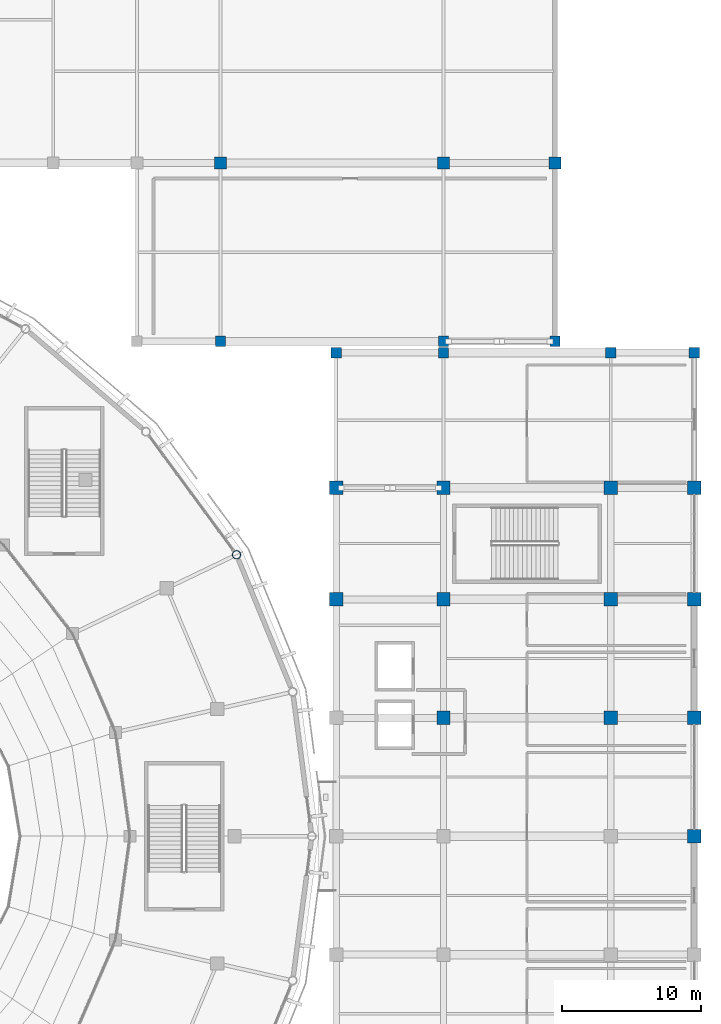
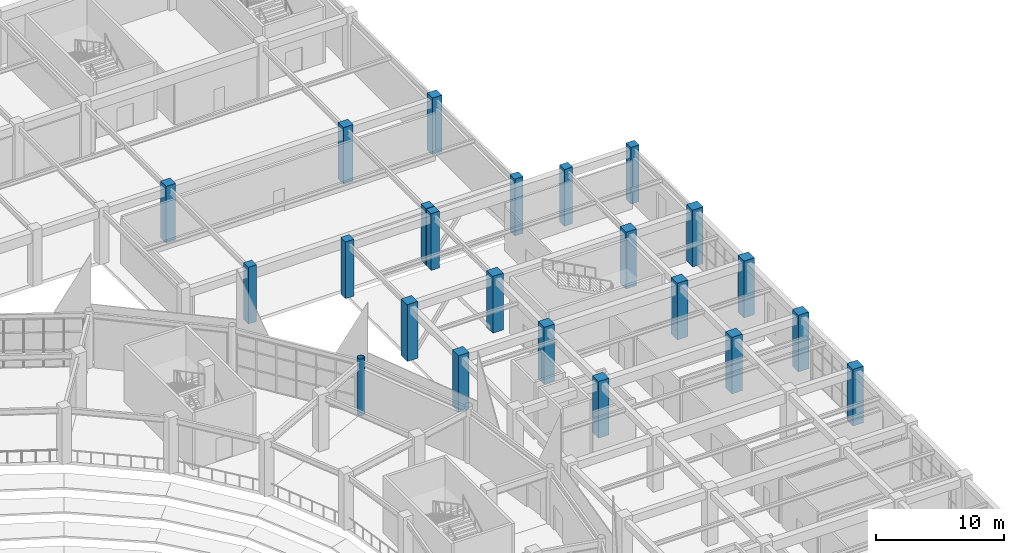
# One storey, part 11 of 120: 23 columns.
"""IFC4 building model written with IfcOpenShell, lengths in metres."""

from ifc_helpers import new_model, si_unit, direction, frame, origin, origin_2d, place, context, subcontext, project, spatial, rectangle, hollow_circle, extrude, material, material_profile, profile_set, type_object, element, save


model = new_model("IFC4")

# Units and contexts
model_context = context("Model", 3, precision=1e-05, world=origin(), true_north=direction((0.0, 1.0)))
body_context = subcontext(model_context, "Body", "Model", "MODEL_VIEW")
ifc_project = project(units=[si_unit("LENGTHUNIT", "METRE"), si_unit("AREAUNIT", "SQUARE_METRE"), si_unit("VOLUMEUNIT", "CUBIC_METRE"), si_unit("PLANEANGLEUNIT", "RADIAN"), si_unit("MASSUNIT", "GRAM", prefix="KILO")], contexts=[model_context])

# Site, building, storey
site_placement = place(None, origin())
site = spatial("IfcSite", under=ifc_project, at=site_placement, CompositionType="ELEMENT")
building_placement = place(site_placement, origin())
building = spatial("IfcBuilding", under=site, at=building_placement, Name="Cuetzalor Civic Arena", CompositionType="ELEMENT")
storey_placement = place(building_placement, frame((0.0, 0.0, 6.0)))
storey = spatial("IfcBuildingStorey", under=building, at=storey_placement, Name="L01", CompositionType="ELEMENT", Elevation=6.0)

# Columns
ifc_material_1 = material(Name="Concrete C40/50", Category="concrete")
ifc_material_profile_1 = material_profile(ifc_material_1, rectangle(XDim=0.75, YDim=0.75, at=origin_2d()), Name="RC 750x750")
ifc_profile_set_1 = profile_set([ifc_material_profile_1], Name="Concrete C40/50")
column_type_1 = type_object("IfcColumnType", Name="ConcreteColumn_750", PredefinedType="COLUMN", material=ifc_profile_set_1)
for number, where, z_axis, x_axis, name in (
    (1, (56.300048828125, 34.699951171875, 0.0), (0.0, 0.0, 1.0), (1.0, 0.0, 0.0), "Column V4E-C-01-11 L01"),
    (2, (64.0, 34.699951171875, 0.0), (0.0, 0.0, 1.0), (1.0, 0.0, 0.0), "Column V4E-C-02-11 L01"),
    (3, (76.0, 34.699951171875, 0.0), (0.0, 0.0, 1.0), (1.0, 0.0, 0.0), "Column V4E-C-03-11 L01"),
    (4, (82.0, 34.699951171875, 0.0), (0.0, 0.0, 1.0), (1.0, 0.0, 0.0), "Column V4E-C-04-11 L01"),
    (5, (48.0, 35.5, 0.0), (0.0, 0.0, 1.0), (1.0, 0.0, 0.0), "Column V5-C-13-01 L01"),
    (6, (64.0, 35.5, 0.0), (0.0, 0.0, 1.0), (1.0, 0.0, 0.0), "Column V5-C-14-01 L01"),
    (7, (72.0, 35.5, 0.0), (0.0, 0.0, 1.0), (1.0, 0.0, 0.0), "Column V5-C-15-01 L01"),
):
    element("IfcColumn", number, at=place(storey_placement, frame(where, z_axis=z_axis, x_axis=x_axis)), inside=storey, type_object=column_type_1, Name=name, PredefinedType="COLUMN", context=body_context, shape_type="SweptSolid", body=[
        extrude(rectangle(XDim=0.75, YDim=0.75, at=origin_2d()), origin(), (0.0, 0.0, 1.0), 5.39990234375),
    ])
ifc_material_2 = material(Name="Concrete C40/50", Category="concrete")
ifc_material_profile_2 = material_profile(ifc_material_2, rectangle(XDim=0.85009765625, YDim=0.85009765625, at=origin_2d()), Name="RC 850x850")
ifc_profile_set_2 = profile_set([ifc_material_profile_2], Name="Concrete C40/50")
column_type_2 = type_object("IfcColumnType", Name="ConcreteColumn_850", PredefinedType="COLUMN", material=ifc_profile_set_2)
for number, where, z_axis, x_axis, name in (
    (8, (48.0, 48.300048828125, 0.0), (0.0, 0.0, 1.0), (1.0, 0.0, 0.0), "Column V5-C-13-02 L01"),
    (9, (64.0, 48.300048828125, 0.0), (0.0, 0.0, 1.0), (1.0, 0.0, 0.0), "Column V5-C-14-02 L01"),
    (10, (72.0, 48.300048828125, 0.0), (0.0, 0.0, 1.0), (1.0, 0.0, 0.0), "Column V5-C-15-02 L01"),
):
    element("IfcColumn", number, at=place(storey_placement, frame(where, z_axis=z_axis, x_axis=x_axis)), inside=storey, type_object=column_type_2, Name=name, PredefinedType="COLUMN", context=body_context, shape_type="SweptSolid", body=[
        extrude(rectangle(XDim=0.85009765625, YDim=0.85009765625, at=origin_2d()), origin(), (0.0, 0.0, 1.0), 5.39990234375),
    ])
ifc_material_3 = material(Name="Concrete C40/50", Category="concrete")
ifc_material_profile_3 = material_profile(ifc_material_3, rectangle(XDim=0.949951171875, YDim=0.949951171875, at=origin_2d()), Name="RC 950x950")
ifc_profile_set_3 = profile_set([ifc_material_profile_3], Name="Concrete C40/50")
column_type_3 = type_object("IfcColumnType", Name="ConcreteColumn_950", PredefinedType="COLUMN", material=ifc_profile_set_3)
for number, where, z_axis, x_axis, name in (
    (11, (56.300048828125, 17.0, 0.0), (0.0, 0.0, 1.0), (1.0, 0.0, 0.0), "Column V4E-C-01-09 L01"),
    (12, (56.300048828125, 25.0, 0.0), (0.0, 0.0, 1.0), (1.0, 0.0, 0.0), "Column V4E-C-01-10 L01"),
    (13, (64.0, 8.5, 0.0), (0.0, 0.0, 1.0), (1.0, 0.0, 0.0), "Column V4E-C-02-08 L01"),
    (14, (64.0, 17.0, 0.0), (0.0, 0.0, 1.0), (1.0, 0.0, 0.0), "Column V4E-C-02-09 L01"),
    (15, (64.0, 25.0, 0.0), (0.0, 0.0, 1.0), (1.0, 0.0, 0.0), "Column V4E-C-02-10 L01"),
    (16, (76.0, 8.5, 0.0), (0.0, 0.0, 1.0), (1.0, 0.0, 0.0), "Column V4E-C-03-08 L01"),
    (17, (76.0, 17.0, 0.0), (0.0, 0.0, 1.0), (1.0, 0.0, 0.0), "Column V4E-C-03-09 L01"),
    (18, (76.0, 25.0, 0.0), (0.0, 0.0, 1.0), (1.0, 0.0, 0.0), "Column V4E-C-03-10 L01"),
    (19, (82.0, 0.0, 0.0), (0.0, 0.0, 1.0), (1.0, 0.0, 0.0), "Column V4E-C-04-07 L01"),
    (20, (82.0, 8.5, 0.0), (0.0, 0.0, 1.0), (1.0, 0.0, 0.0), "Column V4E-C-04-08 L01"),
    (21, (82.0, 17.0, 0.0), (0.0, 0.0, 1.0), (1.0, 0.0, 0.0), "Column V4E-C-04-09 L01"),
    (22, (82.0, 25.0, 0.0), (0.0, 0.0, 1.0), (1.0, 0.0, 0.0), "Column V4E-C-04-10 L01"),
):
    element("IfcColumn", number, at=place(storey_placement, frame(where, z_axis=z_axis, x_axis=x_axis)), inside=storey, type_object=column_type_3, Name=name, PredefinedType="COLUMN", context=body_context, shape_type="SweptSolid", body=[
        extrude(rectangle(XDim=0.949951171875, YDim=0.949951171875, at=origin_2d()), origin(), (0.0, 0.0, 1.0), 5.39990234375),
    ])
ifc_material_4 = material(Name="Steel S355", Category="steel")
ifc_material_profile_4 = material_profile(ifc_material_4, hollow_circle(Radius=0.304931640625, WallThickness=0.02490234375, at=origin_2d()), Name="CHS 610x25")
ifc_profile_set_4 = profile_set([ifc_material_profile_4], Name="Steel S355")
column_type_4 = type_object("IfcColumnType", Name="SteelDomePylon_CHS610", PredefinedType="COLUMN", material=ifc_profile_set_4)
column_placement = place(storey_placement, frame((49.14794921875, 20.197265625, 0.0), z_axis=(0.0, 0.0, 1.0), x_axis=(1.0, 0.0, 0.0)))
element("IfcColumn", 23, at=column_placement, inside=storey, type_object=column_type_4, Name="Column V1-PYL-03 L01", PredefinedType="COLUMN", context=body_context, shape_type="SweptSolid", body=[
    extrude(hollow_circle(Radius=0.304931640625, WallThickness=0.02490234375, at=origin_2d()), origin(), (0.0, 0.0, 1.0), 5.39990234375),
])

save(model, "model.ifc")
